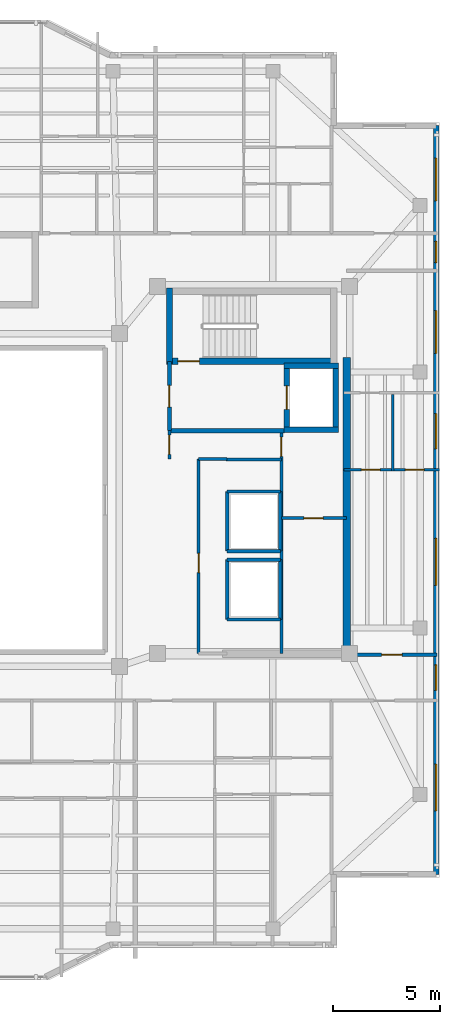
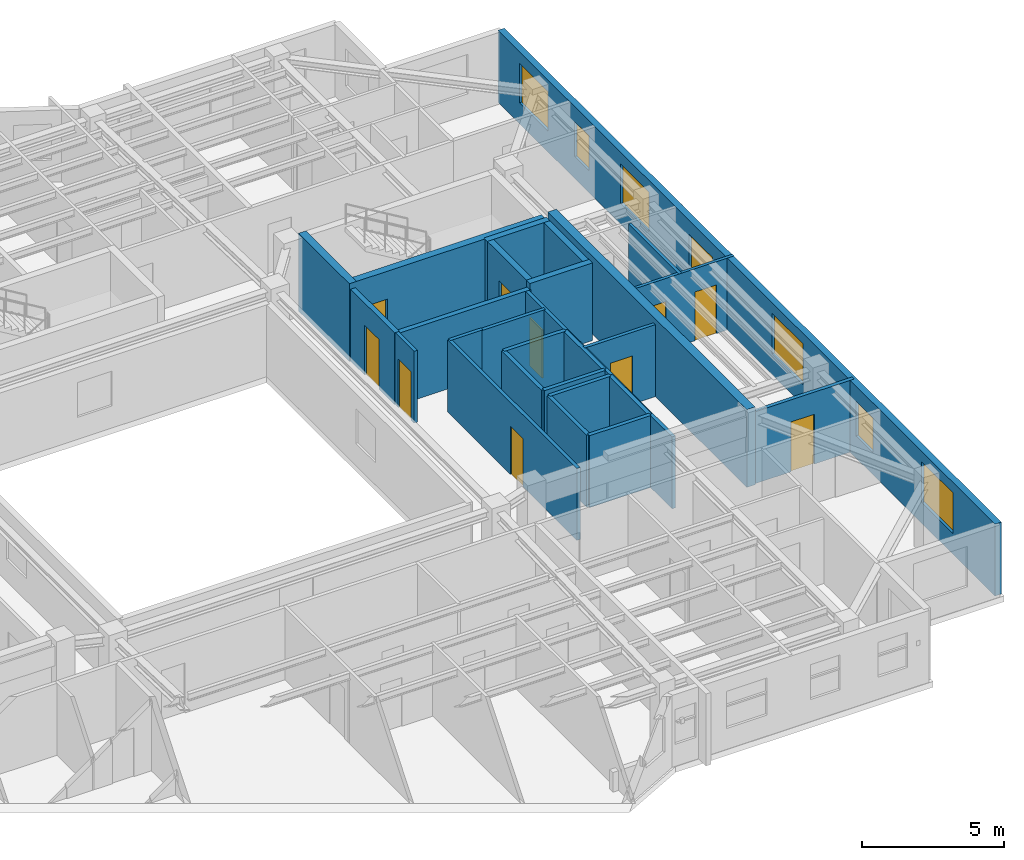
# One storey, part 9 of 15: 27 walls, 10 doors, 7 windows, 17 openings.
"""IFC4 building model written with IfcOpenShell, lengths in metres."""

import ifcopenshell
import ifcopenshell.guid

model = None  # the IFC model being written
_history = None  # IfcOwnerHistory: only IFC2X3 demands one
_inside = {}  # id of a spatial element -> (the spatial element, [elements in it])
_under = {}  # id of a project, library or spatial element -> (it, [spatial elements below it])
_declared = {}  # id of a project -> (the project, [libraries it declares])
_typed = {}  # id of a type object -> (the type object, [elements of that type])
_made_of = {}  # id of a material, layer set ... -> (it, [elements and type objects made of it])


def new_model(schema):
    """Start an empty IFC model of exactly this schema.

    Asked for "IFC4X3", IfcOpenShell would pick the latest addendum, in which some entities
    have other attributes; the version numbers below select the first issue.
    IFC2X3 requires an IfcOwnerHistory on every rooted entity: one is made here for all.
    """
    global model, _history
    if schema == "IFC4X3":
        model = ifcopenshell.file(schema_version=(4, 3, 0, 0))
    else:
        model = ifcopenshell.file(schema=schema)
    _inside.clear()
    _under.clear()
    _declared.clear()
    _typed.clear()
    _made_of.clear()
    _history = None
    if model.schema == "IFC2X3":
        org = make("IfcOrganization", Name="unknown")
        user = make(
            "IfcPersonAndOrganization",
            ThePerson=make("IfcPerson", FamilyName="unknown"),
            TheOrganization=org,
        )
        app = make(
            "IfcApplication",
            ApplicationDeveloper=org,
            Version="unknown",
            ApplicationFullName="unknown",
            ApplicationIdentifier="unknown",
        )
        _history = make(
            "IfcOwnerHistory",
            OwningUser=user,
            OwningApplication=app,
            ChangeAction="ADDED",
            CreationDate=0,
        )
    return model


def make(cls, **values):
    """One entity of the class cls with the attributes given. An attribute that is None is left unset."""
    return model.create_entity(
        cls, **{name: value for name, value in values.items() if value is not None}
    )


def rooted(cls, **values):
    """An entity with a GlobalId (a new one), such as an element, a storey or a relation."""
    return make(cls, GlobalId=ifcopenshell.guid.new(), OwnerHistory=_history, **values)


def si_unit(unit_type, name, prefix=None):
    """IfcSIUnit, for example si_unit("LENGTHUNIT", "METRE", prefix="MILLI")."""
    return make("IfcSIUnit", UnitType=unit_type, Prefix=prefix, Name=name)


def assignment(units):
    """IfcUnitAssignment: the units of a project."""
    return None if units is None else make("IfcUnitAssignment", Units=units)


def point(xyz):
    """IfcCartesianPoint."""
    return None if xyz is None else make("IfcCartesianPoint", Coordinates=xyz)


def direction(xyz):
    """IfcDirection."""
    return None if xyz is None else make("IfcDirection", DirectionRatios=xyz)


def frame(location, z_axis=None, x_axis=None):
    """IfcAxis2Placement3D, a coordinate frame: its origin and axes. An axis left out is left unset."""
    return make(
        "IfcAxis2Placement3D",
        Location=point(location),
        Axis=direction(z_axis),
        RefDirection=direction(x_axis),
    )


def frame_2d(location, x_axis=None):
    """IfcAxis2Placement2D, a coordinate frame in the plane: its origin and x axis."""
    return make(
        "IfcAxis2Placement2D", Location=point(location), RefDirection=direction(x_axis)
    )


def origin():
    """The frame at (0, 0, 0) with its axes left unset."""
    return frame((0.0, 0.0, 0.0))


def place(relative_to, where):
    """IfcLocalPlacement: puts the frame where relative to a parent placement (None: the world)."""
    return make(
        "IfcLocalPlacement", PlacementRelTo=relative_to, RelativePlacement=where
    )


def context(
    kind, dimensions, precision=None, world=None, true_north=None, identifier=None
):
    """IfcGeometricRepresentationContext, for example the 3D "Model" context."""
    return make(
        "IfcGeometricRepresentationContext",
        ContextIdentifier=identifier,
        ContextType=kind,
        CoordinateSpaceDimension=dimensions,
        Precision=precision,
        WorldCoordinateSystem=world,
        TrueNorth=true_north,
    )


def subcontext(parent, identifier, kind, view, scale=None):
    """IfcGeometricRepresentationSubContext, for example "Body" below "Model"."""
    return make(
        "IfcGeometricRepresentationSubContext",
        ContextIdentifier=identifier,
        ContextType=kind,
        ParentContext=parent,
        TargetScale=scale,
        TargetView=view,
    )


def project(units=None, contexts=None):
    """IfcProject with its units and contexts."""
    return rooted(
        "IfcProject",
        Name="project",
        RepresentationContexts=contexts,
        UnitsInContext=assignment(units),
    )


def spatial(cls, under=None, at=None, **own):
    """A site, building, storey or space (cls), placed at a placement, below another one or the project."""
    s = rooted(cls, ObjectPlacement=at, **own)
    if under is not None:
        _under.setdefault(under.id(), (under, []))[1].append(s)
    return s


def profile(cls, at=None, kind="AREA", **sizes):
    """A parametric profile (cls). Its sizes go by their IFC names, for example OverallWidth=200.0."""
    return make(cls, ProfileType=kind, Position=at, **sizes)


def rectangle(**sizes):
    """IfcRectangleProfileDef."""
    return profile("IfcRectangleProfileDef", **sizes)


def extrude(swept, where, along, depth):
    """IfcExtrudedAreaSolid: the profile swept, set in the frame where, extruded along a direction by depth."""
    return make(
        "IfcExtrudedAreaSolid",
        SweptArea=swept,
        Position=where,
        ExtrudedDirection=direction(along),
        Depth=depth,
    )


def shape(context_of_items, identifier, shape_type, items):
    """IfcShapeRepresentation: the items that make up one representation, for example the "Body"."""
    return make(
        "IfcShapeRepresentation",
        ContextOfItems=context_of_items,
        RepresentationIdentifier=identifier,
        RepresentationType=shape_type,
        Items=items,
    )


def material(Name=None, Category=None):
    """IfcMaterial."""
    return make("IfcMaterial", Name=Name, Category=Category)


def layer(
    of_material, thickness, ventilated=None, Name=None, Category=None, Priority=None
):
    """IfcMaterialLayer: one layer of a wall or slab, of a material (None: an air gap)."""
    return make(
        "IfcMaterialLayer",
        Material=of_material,
        LayerThickness=thickness,
        IsVentilated=ventilated,
        Name=Name,
        Category=Category,
        Priority=Priority,
    )


def layer_set(layers, Name=None):
    """IfcMaterialLayerSet."""
    return make("IfcMaterialLayerSet", MaterialLayers=layers, LayerSetName=Name)


def made_of(thing, what):
    """Note that an element or type object is made of a material, layer set ...; save() writes the relation."""
    if what is not None:
        _made_of.setdefault(what.id(), (what, []))[1].append(thing)
    return thing


def type_object(cls, material=None, **own):
    """A type object (cls), such as IfcWallType, which elements share."""
    return made_of(rooted(cls, **own), material)


def element(
    cls,
    number,
    at=None,
    inside=None,
    cuts=None,
    type_object=None,
    material=None,
    context=None,
    identifier="Body",
    shape_type=None,
    held_by="IfcProductDefinitionShape",
    body=None,
    shapes=None,
    **own,
):
    """One element of the class cls, such as IfcWall. Its Tag is "e" and its number.

    at: its placement. inside: the storey or other place that contains it. cuts: it is an
    opening in that element (IfcRelVoidsElement). A single representation is given by context,
    identifier, shape_type and body (its items); several are given by shapes. held_by: the class
    of the entity that holds the representations. save() writes the other relations.
    """
    e = rooted(cls, Tag="e%d" % number, ObjectPlacement=at, **own)
    if body is not None:
        shapes = [shape(context, identifier, shape_type, body)]
    if shapes is not None:
        e.Representation = make(held_by, Representations=shapes)
    if inside is not None:
        _inside.setdefault(inside.id(), (inside, []))[1].append(e)
    if cuts is not None:
        rooted(
            "IfcRelVoidsElement", RelatingBuildingElement=cuts, RelatedOpeningElement=e
        )
    if type_object is not None:
        _typed.setdefault(type_object.id(), (type_object, []))[1].append(e)
    return made_of(e, material)


def fill(opening, filler):
    """IfcRelFillsElement: the door or window that sits in an opening."""
    return rooted(
        "IfcRelFillsElement",
        RelatingOpeningElement=opening,
        RelatedBuildingElement=filler,
    )


def aggregate(whole, parts):
    """IfcRelAggregates: a whole, such as a stair, and the parts it consists of."""
    return rooted("IfcRelAggregates", RelatingObject=whole, RelatedObjects=parts)


def save(model, path):
    """Write the relations noted so far, then the file.

    IfcRelAggregates (storeys below a building ...), IfcRelContainedInSpatialStructure (elements
    in a storey), IfcRelDefinesByType, IfcRelAssociatesMaterial and IfcRelDeclares: one each for
    every whole, place, type object, material and project.
    """
    for whole, parts in _under.values():
        aggregate(whole, parts)
    for where, things in _inside.values():
        rooted(
            "IfcRelContainedInSpatialStructure",
            RelatedElements=things,
            RelatingStructure=where,
        )
    for kind, things in _typed.values():
        rooted("IfcRelDefinesByType", RelatedObjects=things, RelatingType=kind)
    for what, things in _made_of.values():
        rooted("IfcRelAssociatesMaterial", RelatedObjects=things, RelatingMaterial=what)
    for by, libraries in _declared.values():
        rooted("IfcRelDeclares", RelatingContext=by, RelatedDefinitions=libraries)
    model.write(path)


model = new_model("IFC4")

# Units and contexts
model_context = context("Model", 3, precision=1e-05, world=origin(), true_north=direction((0.0, 1.0)))
body_context = subcontext(model_context, "Body", "Model", "MODEL_VIEW")
ifc_project = project(units=[si_unit("LENGTHUNIT", "METRE"), si_unit("AREAUNIT", "SQUARE_METRE"), si_unit("VOLUMEUNIT", "CUBIC_METRE"), si_unit("PLANEANGLEUNIT", "RADIAN"), si_unit("MASSUNIT", "GRAM", prefix="KILO")], contexts=[model_context])

# Site, building, storey
site_placement = place(None, origin())
site = spatial("IfcSite", under=ifc_project, at=site_placement, CompositionType="ELEMENT")
building_placement = place(site_placement, origin())
building = spatial("IfcBuilding", under=site, at=building_placement, Name="Tarnavaz Court Tower", CompositionType="ELEMENT")
storey_placement = place(building_placement, frame((0.0, 0.0, 241.5)))
storey = spatial("IfcBuildingStorey", under=building, at=storey_placement, Name="L65", CompositionType="ELEMENT", Elevation=241.5)

# Wall, opening, door
ifc_material_1 = material(Name="Concrete C50/60", Category="concrete")
ifc_layer_1 = layer(ifc_material_1, 0.25)
ifc_layer_set_1 = layer_set([ifc_layer_1], Name="Concrete C50/60")
wall_type_1 = type_object("IfcWallType", Name="WL-CORE-250-C50", PredefinedType="SHEAR", material=ifc_layer_set_1)
wall_1_placement = place(storey_placement, frame((15.64990234375, 3.175048828125, 0.0), z_axis=(0.0, 0.0, 1.0), x_axis=(0.0, 1.0, 0.0)))
wall_1 = element("IfcWall", 1, at=wall_1_placement, inside=storey, type_object=wall_type_1, Name="L65 Lift FL-E1 Shaft Wall 033", PredefinedType="SHEAR", context=body_context, shape_type="SweptSolid", body=[
    extrude(rectangle(XDim=3.25, YDim=0.25, at=frame_2d((1.625, 0.0))), origin(), (0.0, 0.0, 1.0), 3.35009765625),
])
opening_1_placement = place(wall_1_placement, frame((1.074951171875, 0.0, 0.0)))
opening_1 = element("IfcOpeningElement", 2, at=opening_1_placement, cuts=wall_1, Name="Opening LD1", PredefinedType="OPENING", context=body_context, shape_type="SweptSolid", body=[
    extrude(rectangle(XDim=1.10009765625, YDim=2.14990234375, at=frame_2d((0.550048828125, 1.074951171875))), frame((0.0, 0.135009765625, 0.0), z_axis=(0.0, -1.0, 0.0), x_axis=(1.0, 0.0, 0.0)), (0.0, 0.0, 1.0), 0.27001953125),
])
ifc_material_2 = material(Name="Stainless Steel", Category="steel")
door_type_1 = type_object("IfcDoorType", Name="DR-LD-1100", OperationType="NOTDEFINED", PredefinedType="DOOR", material=ifc_material_2)
door_1_placement = place(opening_1_placement, origin())
door_1 = element("IfcDoor", 3, at=door_1_placement, inside=storey, type_object=door_type_1, Name="L65 Lift Landing Door LD-FL-E1", OperationType="SLIDING_TO_LEFT", OverallHeight=2.14990234375, OverallWidth=1.10009765625, PredefinedType="DOOR", context=body_context, shape_type="SweptSolid", body=[
    extrude(rectangle(XDim=1.10009765625, YDim=2.14990234375, at=frame_2d((0.550048828125, 1.074951171875))), frame((0.0, 0.02490234375, 0.0), z_axis=(0.0, -1.0, 0.0), x_axis=(1.0, 0.0, 0.0)), (0.0, 0.0, 1.0), 0.050048828125),
])
fill(opening_1, door_1)

# Walls
wall_2_placement = place(storey_placement, frame((17.949951171875, 3.175048828125, 0.0), z_axis=(0.0, 0.0, 1.0), x_axis=(0.0, 1.0, 0.0)))
element("IfcWall", 4, at=wall_2_placement, inside=storey, type_object=wall_type_1, Name="L65 Lift FL-E1 Shaft Wall 034", PredefinedType="SHEAR", context=body_context, shape_type="SweptSolid", body=[
    extrude(rectangle(XDim=3.25, YDim=0.25, at=frame_2d((1.625, 0.0))), origin(), (0.0, 0.0, 1.0), 3.35009765625),
])
for number, where, z_axis, x_axis, name in (
    (5, (15.52490234375, 3.300048828125, 0.0), (0.0, 0.0, 1.0), (1.0, 0.0, 0.0), "L65 Lift FL-E1 Shaft Wall 035"),
    (6, (15.52490234375, 6.300048828125, 0.0), (0.0, 0.0, 1.0), (1.0, 0.0, 0.0), "L65 Lift FL-E1 Shaft Wall 036"),
):
    element("IfcWall", number, at=place(storey_placement, frame(where, z_axis=z_axis, x_axis=x_axis)), inside=storey, type_object=wall_type_1, Name=name, PredefinedType="SHEAR", context=body_context, shape_type="SweptSolid", body=[
        extrude(rectangle(XDim=2.550048828125, YDim=0.25, at=frame_2d((1.27490234375, 0.0))), origin(), (0.0, 0.0, 1.0), 3.35009765625),
    ])

# Wall, opening, door
ifc_layer_2 = layer(ifc_material_1, 0.300048828125)
ifc_layer_set_2 = layer_set([ifc_layer_2], Name="Concrete C50/60")
wall_type_2 = type_object("IfcWallType", Name="WL-CORE-300-C50", PredefinedType="SHEAR", material=ifc_layer_set_2)
wall_3_placement = place(storey_placement, frame((10.0, 6.5, 0.0), z_axis=(0.0, 0.0, 1.0), x_axis=(1.0, 0.0, 0.0)))
wall_3 = element("IfcWall", 7, at=wall_3_placement, inside=storey, type_object=wall_type_2, Name="L65 East Stair Core Wall 006", PredefinedType="SHEAR", context=body_context, shape_type="SweptSolid", body=[
    extrude(rectangle(XDim=8.0, YDim=0.300048828125, at=frame_2d((4.0, 0.0))), origin(), (0.0, 0.0, 1.0), 3.35009765625),
])
opening_2_placement = place(wall_3_placement, frame((0.550048828125, 0.0, 0.0)))
opening_2 = element("IfcOpeningElement", 8, at=opening_2_placement, cuts=wall_3, Name="Opening D01", PredefinedType="OPENING", context=body_context, shape_type="SweptSolid", body=[
    extrude(rectangle(XDim=1.0, YDim=2.14990234375, at=frame_2d((0.5, 1.074951171875))), frame((0.0, 0.159912109375, 0.0), z_axis=(0.0, -1.0, 0.0), x_axis=(1.0, 0.0, 0.0)), (0.0, 0.0, 1.0), 0.320068359375),
])
ifc_material_3 = material(Name="Fire-Rated Hardwood Timber Core", Category="wood")
door_type_2 = type_object("IfcDoorType", Name="DR-FD90-1000", OperationType="NOTDEFINED", PredefinedType="DOOR", material=ifc_material_3)
door_2_placement = place(opening_2_placement, origin())
door_2 = element("IfcDoor", 9, at=door_2_placement, inside=storey, type_object=door_type_2, Name="L65 Stair ST-E1 Exit Door", OperationType="SINGLE_SWING_RIGHT", OverallHeight=2.14990234375, OverallWidth=1.0, PredefinedType="DOOR", context=body_context, shape_type="SweptSolid", body=[
    extrude(rectangle(XDim=1.0, YDim=2.14990234375, at=frame_2d((0.5, 1.074951171875))), frame((0.0, 0.02490234375, 0.0), z_axis=(0.0, -1.0, 0.0), x_axis=(1.0, 0.0, 0.0)), (0.0, 0.0, 1.0), 0.050048828125),
])
fill(opening_2, door_2)

# Walls
wall_4_placement = place(storey_placement, frame((10.14990234375, 6.35009765625, 0.0), z_axis=(0.0, 0.0, 1.0), x_axis=(0.0, 1.0, 0.0)))
element("IfcWall", 10, at=wall_4_placement, inside=storey, type_object=wall_type_2, Name="L65 East Stair Core Wall 007", PredefinedType="SHEAR", context=body_context, shape_type="SweptSolid", body=[
    extrude(rectangle(XDim=3.58984375, YDim=0.300048828125, at=frame_2d((1.794921875, 0.0))), origin(), (0.0, 0.0, 1.0), 3.35009765625),
])
ifc_layer_3 = layer(ifc_material_1, 0.35009765625)
ifc_layer_set_3 = layer_set([ifc_layer_3], Name="Concrete C50/60")
wall_type_3 = type_object("IfcWallType", Name="WL-CORE-350-C50", PredefinedType="SHEAR", material=ifc_layer_set_3)
wall_5_placement = place(storey_placement, frame((18.449951171875, -7.375, 0.0), z_axis=(0.0, 0.0, 1.0), x_axis=(0.0, 1.0, 0.0)))
element("IfcWall", 11, at=wall_5_placement, inside=storey, type_object=wall_type_3, Name="L65 East Core Shear Wall 047", PredefinedType="SHEAR", context=body_context, shape_type="SweptSolid", body=[
    extrude(rectangle(XDim=14.050048828125, YDim=0.35009765625, at=frame_2d((7.02490234375, 0.0))), origin(), (0.0, 0.0, 1.0), 3.35009765625),
])

# Wall, openings, windows
ifc_material_4 = material(Name="Precast Concrete C40/50", Category="concrete")
ifc_layer_4 = layer(ifc_material_4, 0.260009765625)
ifc_layer_set_4 = layer_set([ifc_layer_4], Name="Precast Concrete C40/50")
wall_type_4 = type_object("IfcWallType", Name="WL-EXT-260", PredefinedType="SOLIDWALL", material=ifc_layer_set_4)
wall_6_placement = place(storey_placement, frame((22.64990234375, 17.550048828125, 0.0), z_axis=(0.0, 0.0, 1.0), x_axis=(0.0, -1.0, 0.0)))
wall_6 = element("IfcWall", 12, at=wall_6_placement, inside=storey, type_object=wall_type_4, Name="L65 Exterior Terracotta Facade Wall 12", PredefinedType="SOLIDWALL", context=body_context, shape_type="SweptSolid", body=[
    extrude(rectangle(XDim=35.10009765625, YDim=0.260009765625, at=frame_2d((17.550048828125, 0.0))), origin(), (0.0, 0.0, 1.0), 3.10009765625),
])
opening_3_placement = place(wall_6_placement, frame((1.52490234375, 0.0, 0.89990234375)))
opening_3 = element("IfcOpeningElement", 13, at=opening_3_placement, cuts=wall_6, Name="Opening W08", PredefinedType="OPENING", context=body_context, shape_type="SweptSolid", body=[
    extrude(rectangle(XDim=2.0, YDim=1.699951171875, at=frame_2d((1.0, 0.85009765625))), frame((0.0, 0.139892578125, 0.0), z_axis=(0.0, -1.0, 0.0), x_axis=(1.0, 0.0, 0.0)), (0.0, 0.0, 1.0), 0.280029296875),
])
opening_4_placement = place(wall_6_placement, frame((5.425048828125, 0.0, 0.949951171875)))
opening_4 = element("IfcOpeningElement", 14, at=opening_4_placement, cuts=wall_6, Name="Opening W14", PredefinedType="OPENING", context=body_context, shape_type="SweptSolid", body=[
    extrude(rectangle(XDim=1.0, YDim=1.5, at=frame_2d((0.5, 0.75))), frame((0.0, 0.139892578125, 0.0), z_axis=(0.0, -1.0, 0.0), x_axis=(1.0, 0.0, 0.0)), (0.0, 0.0, 1.0), 0.280029296875),
])
opening_5_placement = place(wall_6_placement, frame((8.675048828125, 0.0, 0.89990234375)))
opening_5 = element("IfcOpeningElement", 15, at=opening_5_placement, cuts=wall_6, Name="Opening W08", PredefinedType="OPENING", context=body_context, shape_type="SweptSolid", body=[
    extrude(rectangle(XDim=2.0, YDim=1.699951171875, at=frame_2d((1.0, 0.85009765625))), frame((0.0, 0.139892578125, 0.0), z_axis=(0.0, -1.0, 0.0), x_axis=(1.0, 0.0, 0.0)), (0.0, 0.0, 1.0), 0.280029296875),
])
opening_6_placement = place(wall_6_placement, frame((13.5, 0.0, 0.89990234375)))
opening_6 = element("IfcOpeningElement", 16, at=opening_6_placement, cuts=wall_6, Name="Opening W02", PredefinedType="OPENING", context=body_context, shape_type="SweptSolid", body=[
    extrude(rectangle(XDim=1.64990234375, YDim=1.60009765625, at=frame_2d((0.824951171875, 0.800048828125))), frame((0.0, 0.139892578125, 0.0), z_axis=(0.0, -1.0, 0.0), x_axis=(1.0, 0.0, 0.0)), (0.0, 0.0, 1.0), 0.280029296875),
])
opening_7_placement = place(wall_6_placement, frame((19.35009765625, 0.0, 0.89990234375)))
opening_7 = element("IfcOpeningElement", 17, at=opening_7_placement, cuts=wall_6, Name="Opening W07", PredefinedType="OPENING", context=body_context, shape_type="SweptSolid", body=[
    extrude(rectangle(XDim=2.199951171875, YDim=1.75, at=frame_2d((1.10009765625, 0.875))), frame((0.0, 0.139892578125, 0.0), z_axis=(0.0, -1.0, 0.0), x_axis=(1.0, 0.0, 0.0)), (0.0, 0.0, 1.0), 0.280029296875),
])
opening_8_placement = place(wall_6_placement, frame((25.27490234375, 0.0, 0.949951171875)))
opening_8 = element("IfcOpeningElement", 18, at=opening_8_placement, cuts=wall_6, Name="Opening W05", PredefinedType="OPENING", context=body_context, shape_type="SweptSolid", body=[
    extrude(rectangle(XDim=1.199951171875, YDim=1.5, at=frame_2d((0.60009765625, 0.75))), frame((0.0, 0.139892578125, 0.0), z_axis=(0.0, -1.0, 0.0), x_axis=(1.0, 0.0, 0.0)), (0.0, 0.0, 1.0), 0.280029296875),
])
opening_9_placement = place(wall_6_placement, frame((29.925048828125, 0.0, 0.89990234375)))
opening_9 = element("IfcOpeningElement", 19, at=opening_9_placement, cuts=wall_6, Name="Opening W07", PredefinedType="OPENING", context=body_context, shape_type="SweptSolid", body=[
    extrude(rectangle(XDim=2.199951171875, YDim=1.75, at=frame_2d((1.10009765625, 0.875))), frame((0.0, 0.139892578125, 0.0), z_axis=(0.0, -1.0, 0.0), x_axis=(1.0, 0.0, 0.0)), (0.0, 0.0, 1.0), 0.280029296875),
])
ifc_material_5 = material(Name="Double-Glazed Solar Low-E Glass", Category="glass")
window_type_1 = type_object("IfcWindowType", Name="WN-APT-1000", PartitioningType="SINGLE_PANEL", PredefinedType="WINDOW", material=ifc_material_5)
window_1_placement = place(opening_4_placement, origin())
window_1 = element("IfcWindow", 20, at=window_1_placement, inside=storey, type_object=window_type_1, Name="L65 North-East Corner Corridor Window", OverallHeight=1.5, OverallWidth=1.0, PartitioningType="SINGLE_PANEL", PredefinedType="WINDOW", context=body_context, shape_type="SweptSolid", body=[
    extrude(rectangle(XDim=1.0, YDim=1.5, at=frame_2d((0.5, 0.75))), frame((0.0, 0.030029296875, 0.0), z_axis=(0.0, -1.0, 0.0), x_axis=(1.0, 0.0, 0.0)), (0.0, 0.0, 1.0), 0.06005859375),
])
fill(opening_4, window_1)
window_type_2 = type_object("IfcWindowType", Name="WN-APT-1200", PartitioningType="SINGLE_PANEL", PredefinedType="WINDOW", material=ifc_material_5)
window_2_placement = place(opening_8_placement, origin())
window_2 = element("IfcWindow", 21, at=window_2_placement, inside=storey, type_object=window_type_2, Name="L65 South-East Corner Corridor Window", OverallHeight=1.5, OverallWidth=1.199951171875, PartitioningType="SINGLE_PANEL", PredefinedType="WINDOW", context=body_context, shape_type="SweptSolid", body=[
    extrude(rectangle(XDim=1.199951171875, YDim=1.5, at=frame_2d((0.60009765625, 0.75))), frame((0.0, 0.030029296875, 0.0), z_axis=(0.0, -1.0, 0.0), x_axis=(1.0, 0.0, 0.0)), (0.0, 0.0, 1.0), 0.06005859375),
])
fill(opening_8, window_2)
window_type_3 = type_object("IfcWindowType", Name="WN-APT-1650", PartitioningType="DOUBLE_PANEL_VERTICAL", PredefinedType="WINDOW", material=ifc_material_5)
window_3_placement = place(opening_6_placement, origin())
window_3 = element("IfcWindow", 22, at=window_3_placement, inside=storey, type_object=window_type_3, Name="L65 Flat 09 Bathroom Window", OverallHeight=1.60009765625, OverallWidth=1.64990234375, PartitioningType="SINGLE_PANEL", PredefinedType="WINDOW", context=body_context, shape_type="SweptSolid", body=[
    extrude(rectangle(XDim=1.64990234375, YDim=1.60009765625, at=frame_2d((0.824951171875, 0.800048828125))), frame((0.0, 0.030029296875, 0.0), z_axis=(0.0, -1.0, 0.0), x_axis=(1.0, 0.0, 0.0)), (0.0, 0.0, 1.0), 0.06005859375),
])
fill(opening_6, window_3)
window_type_4 = type_object("IfcWindowType", Name="WN-APT-2000", PartitioningType="DOUBLE_PANEL_VERTICAL", PredefinedType="WINDOW", material=ifc_material_5)
window_4_placement = place(opening_3_placement, origin())
window_4 = element("IfcWindow", 23, at=window_4_placement, inside=storey, type_object=window_type_4, Name="L65 North-East Corner Sunroom Study Window", OverallHeight=1.699951171875, OverallWidth=2.0, PartitioningType="SINGLE_PANEL", PredefinedType="WINDOW", context=body_context, shape_type="SweptSolid", body=[
    extrude(rectangle(XDim=2.0, YDim=1.699951171875, at=frame_2d((1.0, 0.85009765625))), frame((0.0, 0.030029296875, 0.0), z_axis=(0.0, -1.0, 0.0), x_axis=(1.0, 0.0, 0.0)), (0.0, 0.0, 1.0), 0.06005859375),
])
fill(opening_3, window_4)
window_5_placement = place(opening_5_placement, origin())
window_5 = element("IfcWindow", 24, at=window_5_placement, inside=storey, type_object=window_type_4, Name="L65 Flat 09 Study Room Window", OverallHeight=1.699951171875, OverallWidth=2.0, PartitioningType="SINGLE_PANEL", PredefinedType="WINDOW", context=body_context, shape_type="SweptSolid", body=[
    extrude(rectangle(XDim=2.0, YDim=1.699951171875, at=frame_2d((1.0, 0.85009765625))), frame((0.0, 0.030029296875, 0.0), z_axis=(0.0, -1.0, 0.0), x_axis=(1.0, 0.0, 0.0)), (0.0, 0.0, 1.0), 0.06005859375),
])
fill(opening_5, window_5)
window_type_5 = type_object("IfcWindowType", Name="WN-APT-2200", PartitioningType="TRIPLE_PANEL_VERTICAL", PredefinedType="WINDOW", material=ifc_material_5)
window_6_placement = place(opening_7_placement, origin())
window_6 = element("IfcWindow", 25, at=window_6_placement, inside=storey, type_object=window_type_5, Name="L65 Flat 09 Studio Living and Sleeping Room Window", OverallHeight=1.75, OverallWidth=2.199951171875, PartitioningType="SINGLE_PANEL", PredefinedType="WINDOW", context=body_context, shape_type="SweptSolid", body=[
    extrude(rectangle(XDim=2.199951171875, YDim=1.75, at=frame_2d((1.10009765625, 0.875))), frame((0.0, 0.030029296875, 0.0), z_axis=(0.0, -1.0, 0.0), x_axis=(1.0, 0.0, 0.0)), (0.0, 0.0, 1.0), 0.06005859375),
])
fill(opening_7, window_6)
window_7_placement = place(opening_9_placement, origin())
window_7 = element("IfcWindow", 26, at=window_7_placement, inside=storey, type_object=window_type_5, Name="L65 South-East Corner Reading Room Window", OverallHeight=1.75, OverallWidth=2.199951171875, PartitioningType="SINGLE_PANEL", PredefinedType="WINDOW", context=body_context, shape_type="SweptSolid", body=[
    extrude(rectangle(XDim=2.199951171875, YDim=1.75, at=frame_2d((1.10009765625, 0.875))), frame((0.0, 0.030029296875, 0.0), z_axis=(0.0, -1.0, 0.0), x_axis=(1.0, 0.0, 0.0)), (0.0, 0.0, 1.0), 0.06005859375),
])
fill(opening_9, window_7)

# Wall, opening, door
ifc_material_6 = material(Name="Gypsum Fire-Board on Acoustic Metal Stud", Category="masonry")
ifc_layer_5 = layer(ifc_material_6, 0.14990234375)
ifc_layer_set_5 = layer_set([ifc_layer_5], Name="Gypsum Fire-Board on Acoustic Metal Stud")
wall_type_5 = type_object("IfcWallType", Name="WL-FIRE-150", PredefinedType="PARTITIONING", material=ifc_layer_set_5)
wall_7_placement = place(storey_placement, frame((18.449951171875, -7.25, 0.0), z_axis=(0.0, 0.0, 1.0), x_axis=(1.0, 0.0, 0.0)))
wall_7 = element("IfcWall", 27, at=wall_7_placement, inside=storey, type_object=wall_type_5, Name="L65 Interior Partition 113", PredefinedType="PARTITIONING", context=body_context, shape_type="SweptSolid", body=[
    extrude(rectangle(XDim=4.22998046875, YDim=0.14990234375, at=frame_2d((2.114990234375, 0.0))), origin(), (0.0, 0.0, 1.0), 3.10009765625),
])
opening_10_placement = place(wall_7_placement, frame((1.64990234375, 0.0, 0.0)))
opening_10 = element("IfcOpeningElement", 28, at=opening_10_placement, cuts=wall_7, Name="Opening D06", PredefinedType="OPENING", context=body_context, shape_type="SweptSolid", body=[
    extrude(rectangle(XDim=0.9599609375, YDim=2.14990234375, at=frame_2d((0.47998046875, 1.074951171875))), frame((0.0, 0.0849609375, 0.0), z_axis=(0.0, -1.0, 0.0), x_axis=(1.0, 0.0, 0.0)), (0.0, 0.0, 1.0), 0.169921875),
])
door_type_3 = type_object("IfcDoorType", Name="DR-FD60-950", OperationType="NOTDEFINED", PredefinedType="DOOR", material=ifc_material_3)
door_3_placement = place(opening_10_placement, origin())
door_3 = element("IfcDoor", 29, at=door_3_placement, inside=storey, type_object=door_type_3, Name="L65 Flat 09 Entrance Door", OperationType="SINGLE_SWING_LEFT", OverallHeight=2.14990234375, OverallWidth=0.9599609375, PredefinedType="DOOR", context=body_context, shape_type="SweptSolid", body=[
    extrude(rectangle(XDim=0.9599609375, YDim=2.14990234375, at=frame_2d((0.47998046875, 1.074951171875))), frame((0.0, 0.02490234375, 0.0), z_axis=(0.0, -1.0, 0.0), x_axis=(1.0, 0.0, 0.0)), (0.0, 0.0, 1.0), 0.050048828125),
])
fill(opening_10, door_3)

# Wall
ifc_material_7 = material(Name="Autoclaved Aerated Concrete Blockwork", Category="masonry")
ifc_layer_6 = layer(ifc_material_7, 0.199951171875)
ifc_layer_set_6 = layer_set([ifc_layer_6], Name="Autoclaved Aerated Concrete Blockwork")
wall_type_6 = type_object("IfcWallType", Name="WL-FIRE-200", PredefinedType="SOLIDWALL", material=ifc_layer_set_6)
wall_8_placement = place(storey_placement, frame((10.14990234375, 3.25, 0.0), z_axis=(0.0, 0.0, 1.0), x_axis=(1.0, 0.0, 0.0)))
element("IfcWall", 30, at=wall_8_placement, inside=storey, type_object=wall_type_6, Name="L65 East Firefighting Lobby Wall 015", PredefinedType="SOLIDWALL", context=body_context, shape_type="SweptSolid", body=[
    extrude(rectangle(XDim=5.400146484375, YDim=0.199951171875, at=frame_2d((2.7001953125, 0.0))), origin(), (0.0, 0.0, 1.0), 3.10009765625),
])

# Wall, opening, door
wall_9_placement = place(storey_placement, frame((10.14990234375, 3.25, 0.0), z_axis=(0.0, 0.0, 1.0), x_axis=(0.0, 1.0, 0.0)))
wall_9 = element("IfcWall", 31, at=wall_9_placement, inside=storey, type_object=wall_type_6, Name="L65 East Firefighting Lobby Wall 016", PredefinedType="SOLIDWALL", context=body_context, shape_type="SweptSolid", body=[
    extrude(rectangle(XDim=3.25, YDim=0.199951171875, at=frame_2d((1.625, 0.0))), origin(), (0.0, 0.0, 1.0), 3.10009765625),
])
opening_11_placement = place(wall_9_placement, frame((1.10009765625, 0.0, 0.0)))
opening_11 = element("IfcOpeningElement", 32, at=opening_11_placement, cuts=wall_9, Name="Opening D05", PredefinedType="OPENING", context=body_context, shape_type="SweptSolid", body=[
    extrude(rectangle(XDim=1.02001953125, YDim=2.14990234375, at=frame_2d((0.510009765625, 1.074951171875))), frame((0.0, 0.10986328125, 0.0), z_axis=(0.0, -1.0, 0.0), x_axis=(1.0, 0.0, 0.0)), (0.0, 0.0, 1.0), 0.219970703125),
])
door_type_4 = type_object("IfcDoorType", Name="DR-FD60-1000", OperationType="NOTDEFINED", PredefinedType="DOOR", material=ifc_material_3)
door_4_placement = place(opening_11_placement, origin())
door_4 = element("IfcDoor", 33, at=door_4_placement, inside=storey, type_object=door_type_4, Name="L65 East Firefighting Lobby Door", OperationType="SINGLE_SWING_LEFT", OverallHeight=2.14990234375, OverallWidth=1.02001953125, PredefinedType="DOOR", context=body_context, shape_type="SweptSolid", body=[
    extrude(rectangle(XDim=1.02001953125, YDim=2.14990234375, at=frame_2d((0.510009765625, 1.074951171875))), frame((0.0, 0.02490234375, 0.0), z_axis=(0.0, -1.0, 0.0), x_axis=(1.0, 0.0, 0.0)), (0.0, 0.0, 1.0), 0.050048828125),
])
fill(opening_11, door_4)

# Wall, openings, doors
ifc_material_8 = material(Name="Moisture-Resistant Gypsum Board Partition", Category="masonry")
ifc_layer_7 = layer(ifc_material_8, 0.1201171875)
ifc_layer_set_7 = layer_set([ifc_layer_7], Name="Moisture-Resistant Gypsum Board Partition")
wall_type_7 = type_object("IfcWallType", Name="WL-PART-120", PredefinedType="PARTITIONING", material=ifc_layer_set_7)
wall_10_placement = place(storey_placement, frame((18.330078125, 1.419921875, 0.0), z_axis=(0.0, 0.0, 1.0), x_axis=(1.0, 0.0, 0.0)))
wall_10 = element("IfcWall", 34, at=wall_10_placement, inside=storey, type_object=wall_type_7, Name="L65 Interior Partition 126", PredefinedType="PARTITIONING", context=body_context, shape_type="SweptSolid", body=[
    extrude(rectangle(XDim=4.469970703125, YDim=0.1201171875, at=frame_2d((2.23486328125, 0.0))), origin(), (0.0, 0.0, 1.0), 3.10009765625),
])
opening_12_placement = place(wall_10_placement, frame((0.81298828125, 0.0, 0.0)))
opening_12 = element("IfcOpeningElement", 35, at=opening_12_placement, cuts=wall_10, Name="Opening D14", PredefinedType="OPENING", context=body_context, shape_type="SweptSolid", body=[
    extrude(rectangle(XDim=0.8798828125, YDim=2.10009765625, at=frame_2d((0.43994140625, 1.050048828125))), frame((0.0, 0.070068359375, 0.0), z_axis=(0.0, -1.0, 0.0), x_axis=(1.0, 0.0, 0.0)), (0.0, 0.0, 1.0), 0.14013671875),
])
opening_13_placement = place(wall_10_placement, frame((2.8779296875, 0.0, 0.0)))
opening_13 = element("IfcOpeningElement", 36, at=opening_13_placement, cuts=wall_10, Name="Opening D14", PredefinedType="OPENING", context=body_context, shape_type="SweptSolid", body=[
    extrude(rectangle(XDim=0.8798828125, YDim=2.10009765625, at=frame_2d((0.43994140625, 1.050048828125))), frame((0.0, 0.070068359375, 0.0), z_axis=(0.0, -1.0, 0.0), x_axis=(1.0, 0.0, 0.0)), (0.0, 0.0, 1.0), 0.14013671875),
])
ifc_material_9 = material(Name="Engineered Oak Timber", Category="wood")
door_type_5 = type_object("IfcDoorType", Name="DR-INT-900", OperationType="NOTDEFINED", PredefinedType="DOOR", material=ifc_material_9)
door_5_placement = place(opening_12_placement, origin())
door_5 = element("IfcDoor", 37, at=door_5_placement, inside=storey, type_object=door_type_5, Name="L65 Flat 09 Kitchen Door", OperationType="SINGLE_SWING_RIGHT", OverallHeight=2.10009765625, OverallWidth=0.8798828125, PredefinedType="DOOR", context=body_context, shape_type="SweptSolid", body=[
    extrude(rectangle(XDim=0.8798828125, YDim=2.10009765625, at=frame_2d((0.43994140625, 1.050048828125))), frame((0.0, 0.02490234375, 0.0), z_axis=(0.0, -1.0, 0.0), x_axis=(1.0, 0.0, 0.0)), (0.0, 0.0, 1.0), 0.050048828125),
])
fill(opening_12, door_5)
door_6_placement = place(opening_13_placement, origin())
door_6 = element("IfcDoor", 38, at=door_6_placement, inside=storey, type_object=door_type_5, Name="L65 Flat 09 Bathroom Door", OperationType="SINGLE_SWING_LEFT", OverallHeight=2.10009765625, OverallWidth=0.8798828125, PredefinedType="DOOR", context=body_context, shape_type="SweptSolid", body=[
    extrude(rectangle(XDim=0.8798828125, YDim=2.10009765625, at=frame_2d((0.43994140625, 1.050048828125))), frame((0.0, 0.02490234375, 0.0), z_axis=(0.0, -1.0, 0.0), x_axis=(1.0, 0.0, 0.0)), (0.0, 0.0, 1.0), 0.050048828125),
])
fill(opening_13, door_6)

# Walls
wall_11_placement = place(storey_placement, frame((20.614990234375, 1.360107421875, 0.0), z_axis=(0.0, 0.0, 1.0), x_axis=(0.0, 1.0, 0.0)))
element("IfcWall", 39, at=wall_11_placement, inside=storey, type_object=wall_type_7, Name="L65 Interior Partition 128", PredefinedType="PARTITIONING", context=body_context, shape_type="SweptSolid", body=[
    extrude(rectangle(XDim=3.579833984375, YDim=0.1201171875, at=frame_2d((1.7900390625, 0.0))), origin(), (0.0, 0.0, 1.0), 3.10009765625),
])
ifc_material_10 = material(Name="Gypsum Plasterboard Acoustic Partition", Category="masonry")
ifc_layer_8 = layer(ifc_material_10, 0.139892578125)
ifc_layer_set_8 = layer_set([ifc_layer_8], Name="Gypsum Plasterboard Acoustic Partition")
wall_type_8 = type_object("IfcWallType", Name="WL-PART-150", PredefinedType="PARTITIONING", material=ifc_layer_set_8)
wall_12_placement = place(storey_placement, frame((12.800048828125, 1.89990234375, 0.0), z_axis=(0.0, 0.0, 1.0), x_axis=(1.0, 0.0, 0.0)))
element("IfcWall", 40, at=wall_12_placement, inside=storey, type_object=wall_type_8, Name="L65 Interior Partition 053", PredefinedType="PARTITIONING", context=body_context, shape_type="SweptSolid", body=[
    extrude(rectangle(XDim=2.599853515625, YDim=0.139892578125, at=frame_2d((1.2998046875, 0.0))), origin(), (0.0, 0.0, 1.0), 3.10009765625),
])

# Wall, opening, door
wall_13_placement = place(storey_placement, frame((10.14990234375, 1.919921875, 0.0), z_axis=(0.0, 0.0, 1.0), x_axis=(0.0, 1.0, 0.0)))
wall_13 = element("IfcWall", 41, at=wall_13_placement, inside=storey, type_object=wall_type_8, Name="L65 Interior Partition 054", PredefinedType="PARTITIONING", context=body_context, shape_type="SweptSolid", body=[
    extrude(rectangle(XDim=1.330078125, YDim=0.139892578125, at=frame_2d((0.6650390625, 0.0))), origin(), (0.0, 0.0, 1.0), 3.10009765625),
])
opening_14_placement = place(wall_13_placement, frame((0.219970703125, 0.0, 0.0)))
opening_14 = element("IfcOpeningElement", 42, at=opening_14_placement, cuts=wall_13, Name="Opening D09", PredefinedType="OPENING", context=body_context, shape_type="SweptSolid", body=[
    extrude(rectangle(XDim=0.89990234375, YDim=2.080078125, at=frame_2d((0.449951171875, 1.0400390625))), frame((0.0, 0.079833984375, 0.0), z_axis=(0.0, -1.0, 0.0), x_axis=(1.0, 0.0, 0.0)), (0.0, 0.0, 1.0), 0.159912109375),
])
door_type_6 = type_object("IfcDoorType", Name="DR-FD30-900", OperationType="NOTDEFINED", PredefinedType="DOOR", material=ifc_material_3)
door_7_placement = place(opening_14_placement, origin())
door_7 = element("IfcDoor", 43, at=door_7_placement, inside=storey, type_object=door_type_6, Name="L65 East Core Service Lobby Door", OperationType="SINGLE_SWING_RIGHT", OverallHeight=2.080078125, OverallWidth=0.89990234375, PredefinedType="DOOR", context=body_context, shape_type="SweptSolid", body=[
    extrude(rectangle(XDim=0.89990234375, YDim=2.080078125, at=frame_2d((0.449951171875, 1.0400390625))), frame((0.0, 0.02490234375, 0.0), z_axis=(0.0, -1.0, 0.0), x_axis=(1.0, 0.0, 0.0)), (0.0, 0.0, 1.0), 0.050048828125),
])
fill(opening_14, door_7)

wall_14_placement = place(storey_placement, frame((15.39990234375, -7.199951171875, 0.0), z_axis=(0.0, 0.0, 1.0), x_axis=(0.0, 1.0, 0.0)))
wall_14 = element("IfcWall", 44, at=wall_14_placement, inside=storey, type_object=wall_type_8, Name="L65 Interior Partition 055", PredefinedType="PARTITIONING", context=body_context, shape_type="SweptSolid", body=[
    extrude(rectangle(XDim=10.449951171875, YDim=0.139892578125, at=frame_2d((5.22509765625, 0.0))), origin(), (0.0, 0.0, 1.0), 3.10009765625),
])
opening_15_placement = place(wall_14_placement, frame((9.25, 0.0, 0.0)))
opening_15 = element("IfcOpeningElement", 45, at=opening_15_placement, cuts=wall_14, Name="Opening D09", PredefinedType="OPENING", context=body_context, shape_type="SweptSolid", body=[
    extrude(rectangle(XDim=0.89990234375, YDim=2.080078125, at=frame_2d((0.449951171875, 1.0400390625))), frame((0.0, 0.079833984375, 0.0), z_axis=(0.0, -1.0, 0.0), x_axis=(1.0, 0.0, 0.0)), (0.0, 0.0, 1.0), 0.159912109375),
])
door_8_placement = place(opening_15_placement, origin())
door_8 = element("IfcDoor", 46, at=door_8_placement, inside=storey, type_object=door_type_6, Name="L65 East Wet Riser Door", OperationType="SINGLE_SWING_LEFT", OverallHeight=2.080078125, OverallWidth=0.89990234375, PredefinedType="DOOR", context=body_context, shape_type="SweptSolid", body=[
    extrude(rectangle(XDim=0.89990234375, YDim=2.080078125, at=frame_2d((0.449951171875, 1.0400390625))), frame((0.0, 0.02490234375, 0.0), z_axis=(0.0, -1.0, 0.0), x_axis=(1.0, 0.0, 0.0)), (0.0, 0.0, 1.0), 0.050048828125),
])
fill(opening_15, door_8)

wall_15_placement = place(storey_placement, frame((15.39990234375, -0.85009765625, 0.0), z_axis=(0.0, 0.0, 1.0), x_axis=(1.0, 0.0, 0.0)))
wall_15 = element("IfcWall", 47, at=wall_15_placement, inside=storey, type_object=wall_type_8, Name="L65 Interior Partition 056", PredefinedType="PARTITIONING", context=body_context, shape_type="SweptSolid", body=[
    extrude(rectangle(XDim=3.050048828125, YDim=0.139892578125, at=frame_2d((1.52490234375, 0.0))), origin(), (0.0, 0.0, 1.0), 3.10009765625),
])
opening_16_placement = place(wall_15_placement, frame((1.050048828125, 0.0, 0.0)))
opening_16 = element("IfcOpeningElement", 48, at=opening_16_placement, cuts=wall_15, Name="Opening D09", PredefinedType="OPENING", context=body_context, shape_type="SweptSolid", body=[
    extrude(rectangle(XDim=0.89990234375, YDim=2.080078125, at=frame_2d((0.449951171875, 1.0400390625))), frame((0.0, 0.079833984375, 0.0), z_axis=(0.0, -1.0, 0.0), x_axis=(1.0, 0.0, 0.0)), (0.0, 0.0, 1.0), 0.159912109375),
])
door_9_placement = place(opening_16_placement, origin())
door_9 = element("IfcDoor", 49, at=door_9_placement, inside=storey, type_object=door_type_6, Name="L65 East Electrical Plant Door", OperationType="SINGLE_SWING_RIGHT", OverallHeight=2.080078125, OverallWidth=0.89990234375, PredefinedType="DOOR", context=body_context, shape_type="SweptSolid", body=[
    extrude(rectangle(XDim=0.89990234375, YDim=2.080078125, at=frame_2d((0.449951171875, 1.0400390625))), frame((0.0, 0.02490234375, 0.0), z_axis=(0.0, -1.0, 0.0), x_axis=(1.0, 0.0, 0.0)), (0.0, 0.0, 1.0), 0.050048828125),
])
fill(opening_16, door_9)

wall_16_placement = place(storey_placement, frame((11.52001953125, -7.199951171875, 0.0), z_axis=(0.0, 0.0, 1.0), x_axis=(0.0, 1.0, 0.0)))
wall_16 = element("IfcWall", 50, at=wall_16_placement, inside=storey, type_object=wall_type_8, Name="L65 Interior Partition 057", PredefinedType="PARTITIONING", context=body_context, shape_type="SweptSolid", body=[
    extrude(rectangle(XDim=9.119873046875, YDim=0.139892578125, at=frame_2d((4.56005859375, 0.0))), origin(), (0.0, 0.0, 1.0), 3.10009765625),
])
opening_17_placement = place(wall_16_placement, frame((3.800048828125, 0.0, 0.0)))
opening_17 = element("IfcOpeningElement", 51, at=opening_17_placement, cuts=wall_16, Name="Opening D09", PredefinedType="OPENING", context=body_context, shape_type="SweptSolid", body=[
    extrude(rectangle(XDim=0.89990234375, YDim=2.080078125, at=frame_2d((0.449951171875, 1.0400390625))), frame((0.0, 0.079833984375, 0.0), z_axis=(0.0, -1.0, 0.0), x_axis=(1.0, 0.0, 0.0)), (0.0, 0.0, 1.0), 0.159912109375),
])
door_10_placement = place(opening_17_placement, origin())
door_10 = element("IfcDoor", 52, at=door_10_placement, inside=storey, type_object=door_type_6, Name="L65 East Sky Core Store Door", OperationType="SINGLE_SWING_LEFT", OverallHeight=2.080078125, OverallWidth=0.89990234375, PredefinedType="DOOR", context=body_context, shape_type="SweptSolid", body=[
    extrude(rectangle(XDim=0.89990234375, YDim=2.080078125, at=frame_2d((0.449951171875, 1.0400390625))), frame((0.0, 0.02490234375, 0.0), z_axis=(0.0, -1.0, 0.0), x_axis=(1.0, 0.0, 0.0)), (0.0, 0.0, 1.0), 0.050048828125),
])
fill(opening_17, door_10)

# Walls
wall_17_placement = place(storey_placement, frame((11.52001953125, 1.919921875, 0.0), z_axis=(0.0, 0.0, 1.0), x_axis=(1.0, 0.0, 0.0)))
element("IfcWall", 53, at=wall_17_placement, inside=storey, type_object=wall_type_8, Name="L65 Interior Partition 058", PredefinedType="PARTITIONING", context=body_context, shape_type="SweptSolid", body=[
    extrude(rectangle(XDim=1.330078125, YDim=0.139892578125, at=frame_2d((0.6650390625, 0.0))), origin(), (0.0, 0.0, 1.0), 3.10009765625),
])
ifc_layer_9 = layer(ifc_material_7, 0.159912109375)
ifc_layer_set_9 = layer_set([ifc_layer_9], Name="Autoclaved Aerated Concrete Blockwork")
wall_type_9 = type_object("IfcWallType", Name="WL-SHAFT-150", PredefinedType="SOLIDWALL", material=ifc_layer_set_9)
for number, where, z_axis, x_axis, name in (
    (54, (12.85009765625, -5.60009765625, 0.0), (0.0, 0.0, 1.0), (0.0, 1.0, 0.0), "L65 Lift PL-OB1 Shaft Wall 037"),
    (55, (15.35009765625, -5.60009765625, 0.0), (0.0, 0.0, 1.0), (0.0, 1.0, 0.0), "L65 Lift PL-OB1 Shaft Wall 038"),
):
    element("IfcWall", number, at=place(storey_placement, frame(where, z_axis=z_axis, x_axis=x_axis)), inside=storey, type_object=wall_type_9, Name=name, PredefinedType="SOLIDWALL", context=body_context, shape_type="SweptSolid", body=[
        extrude(rectangle(XDim=2.800048828125, YDim=0.159912109375, at=frame_2d((1.39990234375, 0.0))), origin(), (0.0, 0.0, 1.0), 3.10009765625),
    ])
for number, where, z_axis, x_axis, name in (
    (56, (12.85009765625, -5.60009765625, 0.0), (0.0, 0.0, 1.0), (1.0, 0.0, 0.0), "L65 Lift PL-OB1 Shaft Wall 039"),
    (57, (12.85009765625, -2.800048828125, 0.0), (0.0, 0.0, 1.0), (1.0, 0.0, 0.0), "L65 Lift PL-OB1 Shaft Wall 040"),
):
    element("IfcWall", number, at=place(storey_placement, frame(where, z_axis=z_axis, x_axis=x_axis)), inside=storey, type_object=wall_type_9, Name=name, PredefinedType="SOLIDWALL", context=body_context, shape_type="SweptSolid", body=[
        extrude(rectangle(XDim=2.5, YDim=0.159912109375, at=frame_2d((1.25, 0.0))), origin(), (0.0, 0.0, 1.0), 3.10009765625),
    ])
for number, where, z_axis, x_axis, name in (
    (58, (12.85009765625, -2.39990234375, 0.0), (0.0, 0.0, 1.0), (0.0, 1.0, 0.0), "L65 Lift PL-OB2 Shaft Wall 041"),
    (59, (15.35009765625, -2.39990234375, 0.0), (0.0, 0.0, 1.0), (0.0, 1.0, 0.0), "L65 Lift PL-OB2 Shaft Wall 042"),
):
    element("IfcWall", number, at=place(storey_placement, frame(where, z_axis=z_axis, x_axis=x_axis)), inside=storey, type_object=wall_type_9, Name=name, PredefinedType="SOLIDWALL", context=body_context, shape_type="SweptSolid", body=[
        extrude(rectangle(XDim=2.7998046875, YDim=0.159912109375, at=frame_2d((1.39990234375, 0.0))), origin(), (0.0, 0.0, 1.0), 3.10009765625),
    ])
for number, where, z_axis, x_axis, name in (
    (60, (12.85009765625, -2.39990234375, 0.0), (0.0, 0.0, 1.0), (1.0, 0.0, 0.0), "L65 Lift PL-OB2 Shaft Wall 043"),
    (61, (12.85009765625, 0.39990234375, 0.0), (0.0, 0.0, 1.0), (1.0, 0.0, 0.0), "L65 Lift PL-OB2 Shaft Wall 044"),
):
    element("IfcWall", number, at=place(storey_placement, frame(where, z_axis=z_axis, x_axis=x_axis)), inside=storey, type_object=wall_type_9, Name=name, PredefinedType="SOLIDWALL", context=body_context, shape_type="SweptSolid", body=[
        extrude(rectangle(XDim=2.5, YDim=0.159912109375, at=frame_2d((1.25, 0.0))), origin(), (0.0, 0.0, 1.0), 3.10009765625),
    ])

save(model, "model.ifc")
